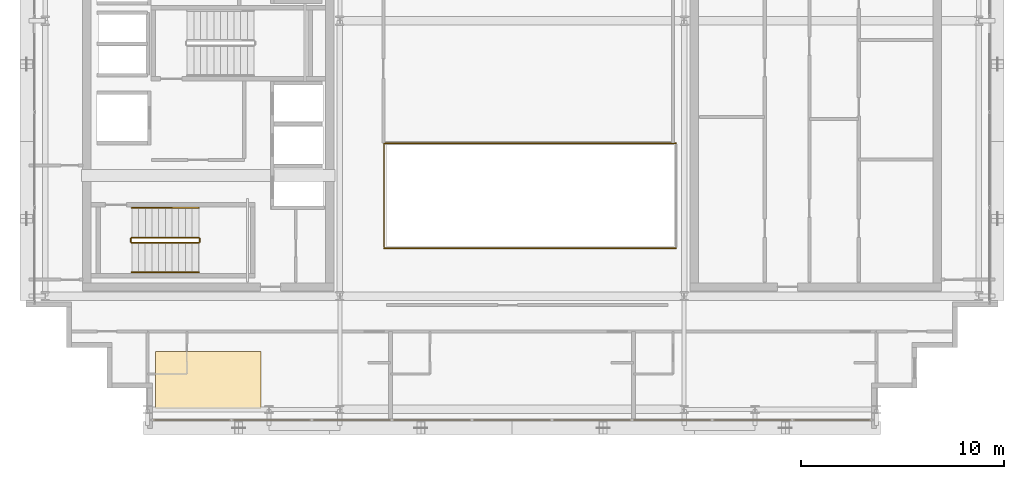
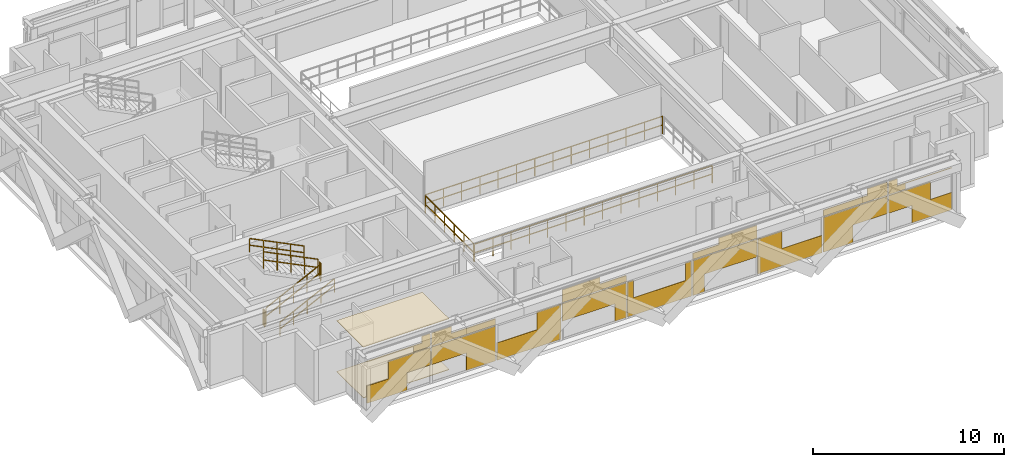
# One storey, part 25 of 28: 9 railings, 3 coverings.
"""IFC4 building model written with IfcOpenShell, lengths in metres."""

from ifc_helpers import new_model, si_unit, direction, frame, origin, origin_2d, place, context, subcontext, project, spatial, polyline, rectangle, outline, extrude, material, layer, layer_set, type_object, element, save


model = new_model("IFC4")

# Units and contexts
model_context = context("Model", 3, precision=1e-05, world=origin(), true_north=direction((0.0, 1.0)))
body_context = subcontext(model_context, "Body", "Model", "MODEL_VIEW")
ifc_project = project(units=[si_unit("LENGTHUNIT", "METRE"), si_unit("AREAUNIT", "SQUARE_METRE"), si_unit("VOLUMEUNIT", "CUBIC_METRE"), si_unit("PLANEANGLEUNIT", "RADIAN"), si_unit("MASSUNIT", "GRAM", prefix="KILO")], contexts=[model_context])

# Site, building, storey
site_placement = place(None, origin())
site = spatial("IfcSite", under=ifc_project, at=site_placement, CompositionType="ELEMENT")
building_placement = place(site_placement, origin())
building = spatial("IfcBuilding", under=site, at=building_placement, Name="Ocotamira Hotel", CompositionType="ELEMENT")
storey_placement = place(building_placement, frame((0.0, 0.0, 243.60009765625)))
storey = spatial("IfcBuildingStorey", under=building, at=storey_placement, Name="L61", CompositionType="ELEMENT", Elevation=243.60009765625)

# Coverings
ifc_material_1 = material(Name="Perforated acoustic gypsum ceiling board", Category="gypsum")
ifc_layer_1 = layer(ifc_material_1, 0.02490234375)
ifc_layer_set_1 = layer_set([ifc_layer_1], Name="Perforated acoustic gypsum ceiling board")
covering_type_1 = type_object("IfcCoveringType", Name="COV-CEIL-25", PredefinedType="CEILING", material=ifc_layer_set_1)
covering_1_placement = place(storey_placement, frame((0.0, 0.0, 3.2548828125)))
element("IfcCovering", 1, at=covering_1_placement, inside=storey, type_object=covering_type_1, Name="L61 Acoustic Ceiling", PredefinedType="CEILING", context=body_context, shape_type="SweptSolid", body=[
    extrude(outline(polyline([(14.39990234375, 9.0), (19.60009765625, 9.0), (19.60009765625, 11.800048828125), (14.39990234375, 11.800048828125), (14.39990234375, 9.0)])), origin(), (0.0, 0.0, 1.0), 0.02490234375),
])
ifc_material_2 = material(Name="Honed desert travertine stone flooring", Category="masonry")
ifc_layer_2 = layer(ifc_material_2, 0.030029296875)
ifc_layer_set_2 = layer_set([ifc_layer_2], Name="Honed desert travertine stone flooring")
covering_type_2 = type_object("IfcCoveringType", Name="COV-FLOR-30", PredefinedType="FLOORING", material=ifc_layer_set_2)
covering_2_placement = place(storey_placement, origin())
element("IfcCovering", 2, at=covering_2_placement, inside=storey, type_object=covering_type_2, Name="L61 Honed Stone Floor Finish", PredefinedType="FLOORING", context=body_context, shape_type="SweptSolid", body=[
    extrude(outline(polyline([(14.39990234375, 9.0), (19.60009765625, 9.0), (19.60009765625, 11.800048828125), (14.39990234375, 11.800048828125), (14.39990234375, 9.0)])), origin(), (0.0, 0.0, 1.0), 0.02978515625),
])
ifc_material_3 = material(Name="Insulated pale-metal aluminium spandrel panel", Category="aluminium")
ifc_layer_3 = layer(ifc_material_3, 0.044921875)
ifc_layer_set_3 = layer_set([ifc_layer_3], Name="Insulated pale-metal aluminium spandrel panel")
covering_type_3 = type_object("IfcCoveringType", Name="COV-INFILL-45", PredefinedType="CLADDING", material=ifc_layer_set_3)
covering_3_placement = place(storey_placement, origin())
element("IfcCovering", 3, at=covering_3_placement, inside=storey, type_object=covering_type_3, Name="L61 Curtain Wall Infill CW-5 CW-L61-S1", PredefinedType="CLADDING", context=body_context, shape_type="SweptSolid", body=[
    extrude(rectangle(XDim=2.42822265625, YDim=0.044921875, at=origin_2d()), frame((15.49462890625, 8.419921875, 0.075439453125), z_axis=(0.0, 0.0, 1.0), x_axis=(1.0, 0.0, 0.0)), (0.0, 0.0, 1.0), 1.11767578125),
    extrude(rectangle(XDim=2.54541015625, YDim=0.044921875, at=origin_2d()), frame((16.84228515625, 8.419921875, 1.19384765625), z_axis=(0.0, 0.0, 1.0), x_axis=(1.0, 0.0, 0.0)), (0.0, 0.0, 1.0), 1.117919921875),
    extrude(rectangle(XDim=3.834716796875, YDim=0.044921875, at=origin_2d()), frame((16.19775390625, 8.419921875, 2.744140625), z_axis=(0.0, 0.0, 1.0), x_axis=(1.0, 0.0, 0.0)), (0.0, 0.0, 1.0), 0.0244140625),
    extrude(rectangle(XDim=1.0107421875, YDim=0.044921875, at=origin_2d()), frame((17.609619140625, 8.419921875, 2.3876953125), z_axis=(0.0, 0.0, 1.0), x_axis=(1.0, 0.0, 0.0)), (0.0, 0.0, 1.0), 0.355224609375),
    extrude(rectangle(XDim=0.52001953125, YDim=0.044921875, at=origin_2d()), frame((17.85498046875, 8.419921875, 2.76953125), z_axis=(0.0, 0.0, 1.0), x_axis=(1.0, 0.0, 0.0)), (0.0, 0.0, 1.0), 0.434814453125),
    extrude(rectangle(XDim=3.87451171875, YDim=0.044921875, at=origin_2d()), frame((20.13330078125, 8.419921875, 1.19384765625), z_axis=(0.0, 0.0, 1.0), x_axis=(1.0, 0.0, 0.0)), (0.0, 0.0, 1.0), 1.117919921875),
    extrude(rectangle(XDim=1.779296875, YDim=0.044921875, at=origin_2d()), frame((21.180908203125, 8.419921875, 0.075439453125), z_axis=(0.0, 0.0, 1.0), x_axis=(1.0, 0.0, 0.0)), (0.0, 0.0, 1.0), 1.11767578125),
    extrude(rectangle(XDim=3.87451171875, YDim=0.044921875, at=origin_2d()), frame((20.13330078125, 8.419921875, 2.3876953125), z_axis=(0.0, 0.0, 1.0), x_axis=(1.0, 0.0, 0.0)), (0.0, 0.0, 1.0), 0.380615234375),
    extrude(rectangle(XDim=1.208984375, YDim=0.044921875, at=origin_2d()), frame((18.800537109375, 8.419921875, 2.76953125), z_axis=(0.0, 0.0, 1.0), x_axis=(1.0, 0.0, 0.0)), (0.0, 0.0, 1.0), 0.434814453125),
    extrude(rectangle(XDim=3.87451171875, YDim=0.044921875, at=origin_2d()), frame((24.0888671875, 8.419921875, 0.075439453125), z_axis=(0.0, 0.0, 1.0), x_axis=(1.0, 0.0, 0.0)), (0.0, 0.0, 1.0), 1.11767578125),
    extrude(rectangle(XDim=1.45654296875, YDim=0.044921875, at=origin_2d()), frame((25.2978515625, 8.419921875, 1.19384765625), z_axis=(0.0, 0.0, 1.0), x_axis=(1.0, 0.0, 0.0)), (0.0, 0.0, 1.0), 1.117919921875),
    extrude(rectangle(XDim=3.87451171875, YDim=0.044921875, at=origin_2d()), frame((28.04443359375, 8.419921875, 1.19384765625), z_axis=(0.0, 0.0, 1.0), x_axis=(1.0, 0.0, 0.0)), (0.0, 0.0, 1.0), 1.117919921875),
    extrude(rectangle(XDim=0.6904296875, YDim=0.044921875, at=origin_2d()), frame((29.636474609375, 8.419921875, 0.075439453125), z_axis=(0.0, 0.0, 1.0), x_axis=(1.0, 0.0, 0.0)), (0.0, 0.0, 1.0), 1.11767578125),
    extrude(rectangle(XDim=3.87451171875, YDim=0.044921875, at=origin_2d()), frame((28.04443359375, 8.419921875, 2.3876953125), z_axis=(0.0, 0.0, 1.0), x_axis=(1.0, 0.0, 0.0)), (0.0, 0.0, 1.0), 0.380615234375),
    extrude(rectangle(XDim=2.2978515625, YDim=0.044921875, at=origin_2d()), frame((27.256103515625, 8.419921875, 2.76953125), z_axis=(0.0, 0.0, 1.0), x_axis=(1.0, 0.0, 0.0)), (0.0, 0.0, 1.0), 0.434814453125),
    extrude(rectangle(XDim=3.87451171875, YDim=0.044921875, at=origin_2d()), frame((32.0, 8.419921875, 0.075439453125), z_axis=(0.0, 0.0, 1.0), x_axis=(1.0, 0.0, 0.0)), (0.0, 0.0, 1.0), 1.11767578125),
    extrude(rectangle(XDim=0.367919921875, YDim=0.044921875, at=origin_2d()), frame((30.24658203125, 8.419921875, 1.19384765625), z_axis=(0.0, 0.0, 1.0), x_axis=(1.0, 0.0, 0.0)), (0.0, 0.0, 1.0), 1.117919921875),
    extrude(rectangle(XDim=0.367919921875, YDim=0.044921875, at=origin_2d()), frame((33.75341796875, 8.419921875, 1.19384765625), z_axis=(0.0, 0.0, 1.0), x_axis=(1.0, 0.0, 0.0)), (0.0, 0.0, 1.0), 1.117919921875),
    extrude(rectangle(XDim=0.6904296875, YDim=0.044921875, at=origin_2d()), frame((34.363525390625, 8.419921875, 0.075439453125), z_axis=(0.0, 0.0, 1.0), x_axis=(1.0, 0.0, 0.0)), (0.0, 0.0, 1.0), 1.11767578125),
    extrude(rectangle(XDim=3.87451171875, YDim=0.044921875, at=origin_2d()), frame((35.95556640625, 8.419921875, 1.19384765625), z_axis=(0.0, 0.0, 1.0), x_axis=(1.0, 0.0, 0.0)), (0.0, 0.0, 1.0), 1.117919921875),
    extrude(rectangle(XDim=3.87451171875, YDim=0.044921875, at=origin_2d()), frame((35.95556640625, 8.419921875, 2.3876953125), z_axis=(0.0, 0.0, 1.0), x_axis=(1.0, 0.0, 0.0)), (0.0, 0.0, 1.0), 0.380615234375),
    extrude(rectangle(XDim=2.2978515625, YDim=0.044921875, at=origin_2d()), frame((36.743896484375, 8.419921875, 2.76953125), z_axis=(0.0, 0.0, 1.0), x_axis=(1.0, 0.0, 0.0)), (0.0, 0.0, 1.0), 0.434814453125),
    extrude(rectangle(XDim=3.87451171875, YDim=0.044921875, at=origin_2d()), frame((39.9111328125, 8.419921875, 0.075439453125), z_axis=(0.0, 0.0, 1.0), x_axis=(1.0, 0.0, 0.0)), (0.0, 0.0, 1.0), 1.11767578125),
    extrude(rectangle(XDim=1.45654296875, YDim=0.044921875, at=origin_2d()), frame((38.7021484375, 8.419921875, 1.19384765625), z_axis=(0.0, 0.0, 1.0), x_axis=(1.0, 0.0, 0.0)), (0.0, 0.0, 1.0), 1.117919921875),
    extrude(rectangle(XDim=1.779296875, YDim=0.044921875, at=origin_2d()), frame((42.819091796875, 8.419921875, 0.075439453125), z_axis=(0.0, 0.0, 1.0), x_axis=(1.0, 0.0, 0.0)), (0.0, 0.0, 1.0), 1.11767578125),
    extrude(rectangle(XDim=3.87451171875, YDim=0.044921875, at=origin_2d()), frame((43.86669921875, 8.419921875, 1.19384765625), z_axis=(0.0, 0.0, 1.0), x_axis=(1.0, 0.0, 0.0)), (0.0, 0.0, 1.0), 1.117919921875),
    extrude(rectangle(XDim=3.87451171875, YDim=0.044921875, at=origin_2d()), frame((43.86669921875, 8.419921875, 2.3876953125), z_axis=(0.0, 0.0, 1.0), x_axis=(1.0, 0.0, 0.0)), (0.0, 0.0, 1.0), 0.380615234375),
    extrude(rectangle(XDim=1.208984375, YDim=0.044921875, at=origin_2d()), frame((45.199462890625, 8.419921875, 2.76953125), z_axis=(0.0, 0.0, 1.0), x_axis=(1.0, 0.0, 0.0)), (0.0, 0.0, 1.0), 0.434814453125),
    extrude(rectangle(XDim=2.54541015625, YDim=0.044921875, at=origin_2d()), frame((47.15771484375, 8.419921875, 1.19384765625), z_axis=(0.0, 0.0, 1.0), x_axis=(1.0, 0.0, 0.0)), (0.0, 0.0, 1.0), 1.117919921875),
    extrude(rectangle(XDim=2.42822265625, YDim=0.044921875, at=origin_2d()), frame((48.50537109375, 8.419921875, 0.075439453125), z_axis=(0.0, 0.0, 1.0), x_axis=(1.0, 0.0, 0.0)), (0.0, 0.0, 1.0), 1.11767578125),
    extrude(rectangle(XDim=1.0107421875, YDim=0.044921875, at=origin_2d()), frame((46.390380859375, 8.419921875, 2.3876953125), z_axis=(0.0, 0.0, 1.0), x_axis=(1.0, 0.0, 0.0)), (0.0, 0.0, 1.0), 0.355224609375),
    extrude(rectangle(XDim=3.834716796875, YDim=0.044921875, at=origin_2d()), frame((47.80224609375, 8.419921875, 2.744140625), z_axis=(0.0, 0.0, 1.0), x_axis=(1.0, 0.0, 0.0)), (0.0, 0.0, 1.0), 0.0244140625),
    extrude(rectangle(XDim=0.52001953125, YDim=0.044921875, at=origin_2d()), frame((46.14501953125, 8.419921875, 2.76953125), z_axis=(0.0, 0.0, 1.0), x_axis=(1.0, 0.0, 0.0)), (0.0, 0.0, 1.0), 0.434814453125),
])

# Railings
ifc_material_4 = material(Name="Painted steel stair guardrail", Category="steel")
railing_type_1 = type_object("IfcRailingType", Name="RL-EDGE-1150", PredefinedType="GUARDRAIL", material=ifc_material_4)
railing_1_placement = place(storey_placement, frame((25.699951171875, 16.89990234375, 0.0)))
element("IfcRailing", 4, at=railing_1_placement, inside=storey, type_object=railing_type_1, Name="L61 Atrium Bridge Lightwell Guard S S", PredefinedType="GUARDRAIL", context=body_context, shape_type="SweptSolid", body=[
    extrude(rectangle(XDim=0.048095703125, YDim=0.048095703125, at=origin_2d()), frame((0.0, 0.0, 1.1259765625), z_axis=(1.0, 0.0, 0.0), x_axis=(0.0, 1.0, 0.0)), (0.0, 0.0, 1.0), 14.400146484375),
    extrude(rectangle(XDim=0.048095703125, YDim=0.048095703125, at=origin_2d()), frame((0.0, 0.0, 0.574951171875), z_axis=(1.0, 0.0, 0.0), x_axis=(0.0, 1.0, 0.0)), (0.0, 0.0, 1.0), 14.400146484375),
    extrude(rectangle(XDim=0.0419921875, YDim=0.0419921875, at=origin_2d()), origin(), (0.0, 0.0, 1.0), 1.101806640625),
    extrude(rectangle(XDim=0.0419921875, YDim=0.0419921875, at=origin_2d()), frame((1.107666015625, 0.0, 0.0)), (0.0, 0.0, 1.0), 1.101806640625),
    extrude(rectangle(XDim=0.0419921875, YDim=0.0419921875, at=origin_2d()), frame((2.21533203125, 0.0, 0.0)), (0.0, 0.0, 1.0), 1.101806640625),
    extrude(rectangle(XDim=0.0419921875, YDim=0.0419921875, at=origin_2d()), frame((3.322998046875, 0.0, 0.0)), (0.0, 0.0, 1.0), 1.101806640625),
    extrude(rectangle(XDim=0.0419921875, YDim=0.0419921875, at=origin_2d()), frame((4.430908203125, 0.0, 0.0)), (0.0, 0.0, 1.0), 1.101806640625),
    extrude(rectangle(XDim=0.0419921875, YDim=0.0419921875, at=origin_2d()), frame((5.53857421875, 0.0, 0.0)), (0.0, 0.0, 1.0), 1.101806640625),
    extrude(rectangle(XDim=0.0419921875, YDim=0.0419921875, at=origin_2d()), frame((6.646240234375, 0.0, 0.0)), (0.0, 0.0, 1.0), 1.101806640625),
    extrude(rectangle(XDim=0.0419921875, YDim=0.0419921875, at=origin_2d()), frame((7.75390625, 0.0, 0.0)), (0.0, 0.0, 1.0), 1.101806640625),
    extrude(rectangle(XDim=0.0419921875, YDim=0.0419921875, at=origin_2d()), frame((8.861572265625, 0.0, 0.0)), (0.0, 0.0, 1.0), 1.101806640625),
    extrude(rectangle(XDim=0.0419921875, YDim=0.0419921875, at=origin_2d()), frame((9.96923828125, 0.0, 0.0)), (0.0, 0.0, 1.0), 1.101806640625),
    extrude(rectangle(XDim=0.0419921875, YDim=0.0419921875, at=origin_2d()), frame((11.0771484375, 0.0, 0.0)), (0.0, 0.0, 1.0), 1.101806640625),
    extrude(rectangle(XDim=0.0419921875, YDim=0.0419921875, at=origin_2d()), frame((12.184814453125, 0.0, 0.0)), (0.0, 0.0, 1.0), 1.101806640625),
    extrude(rectangle(XDim=0.0419921875, YDim=0.0419921875, at=origin_2d()), frame((13.29248046875, 0.0, 0.0)), (0.0, 0.0, 1.0), 1.101806640625),
    extrude(rectangle(XDim=0.0419921875, YDim=0.0419921875, at=origin_2d()), frame((14.400146484375, 0.0, 0.0)), (0.0, 0.0, 1.0), 1.101806640625),
])
railing_2_placement = place(storey_placement, frame((40.10009765625, 22.10009765625, 0.0)))
element("IfcRailing", 5, at=railing_2_placement, inside=storey, type_object=railing_type_1, Name="L61 Atrium Bridge Lightwell Guard S N", PredefinedType="GUARDRAIL", context=body_context, shape_type="SweptSolid", body=[
    extrude(rectangle(XDim=0.048095703125, YDim=0.048095703125, at=origin_2d()), frame((0.0, 0.0, 1.1259765625), z_axis=(-1.0, 0.0, 0.0), x_axis=(0.0, -1.0, 0.0)), (0.0, 0.0, 1.0), 14.400146484375),
    extrude(rectangle(XDim=0.048095703125, YDim=0.048095703125, at=origin_2d()), frame((0.0, 0.0, 0.574951171875), z_axis=(-1.0, 0.0, 0.0), x_axis=(0.0, -1.0, 0.0)), (0.0, 0.0, 1.0), 14.400146484375),
    extrude(rectangle(XDim=0.0419921875, YDim=0.0419921875, at=origin_2d()), origin(), (0.0, 0.0, 1.0), 1.101806640625),
    extrude(rectangle(XDim=0.0419921875, YDim=0.0419921875, at=origin_2d()), frame((-1.107666015625, 0.0, 0.0)), (0.0, 0.0, 1.0), 1.101806640625),
    extrude(rectangle(XDim=0.0419921875, YDim=0.0419921875, at=origin_2d()), frame((-2.21533203125, 0.0, 0.0)), (0.0, 0.0, 1.0), 1.101806640625),
    extrude(rectangle(XDim=0.0419921875, YDim=0.0419921875, at=origin_2d()), frame((-3.322998046875, 0.0, 0.0)), (0.0, 0.0, 1.0), 1.101806640625),
    extrude(rectangle(XDim=0.0419921875, YDim=0.0419921875, at=origin_2d()), frame((-4.430908203125, 0.0, 0.0)), (0.0, 0.0, 1.0), 1.101806640625),
    extrude(rectangle(XDim=0.0419921875, YDim=0.0419921875, at=origin_2d()), frame((-5.53857421875, 0.0, 0.0)), (0.0, 0.0, 1.0), 1.101806640625),
    extrude(rectangle(XDim=0.0419921875, YDim=0.0419921875, at=origin_2d()), frame((-6.646240234375, 0.0, 0.0)), (0.0, 0.0, 1.0), 1.101806640625),
    extrude(rectangle(XDim=0.0419921875, YDim=0.0419921875, at=origin_2d()), frame((-7.75390625, 0.0, 0.0)), (0.0, 0.0, 1.0), 1.101806640625),
    extrude(rectangle(XDim=0.0419921875, YDim=0.0419921875, at=origin_2d()), frame((-8.861572265625, 0.0, 0.0)), (0.0, 0.0, 1.0), 1.101806640625),
    extrude(rectangle(XDim=0.0419921875, YDim=0.0419921875, at=origin_2d()), frame((-9.96923828125, 0.0, 0.0)), (0.0, 0.0, 1.0), 1.101806640625),
    extrude(rectangle(XDim=0.0419921875, YDim=0.0419921875, at=origin_2d()), frame((-11.0771484375, 0.0, 0.0)), (0.0, 0.0, 1.0), 1.101806640625),
    extrude(rectangle(XDim=0.0419921875, YDim=0.0419921875, at=origin_2d()), frame((-12.184814453125, 0.0, 0.0)), (0.0, 0.0, 1.0), 1.101806640625),
    extrude(rectangle(XDim=0.0419921875, YDim=0.0419921875, at=origin_2d()), frame((-13.29248046875, 0.0, 0.0)), (0.0, 0.0, 1.0), 1.101806640625),
    extrude(rectangle(XDim=0.0419921875, YDim=0.0419921875, at=origin_2d()), frame((-14.400146484375, 0.0, 0.0)), (0.0, 0.0, 1.0), 1.101806640625),
])
railing_3_placement = place(storey_placement, frame((25.679931640625, 22.02001953125, 0.0)))
element("IfcRailing", 6, at=railing_3_placement, inside=storey, type_object=railing_type_1, Name="L61 Atrium Bridge Lightwell Guard S W", PredefinedType="GUARDRAIL", context=body_context, shape_type="SweptSolid", body=[
    extrude(rectangle(XDim=0.048095703125, YDim=0.048095703125, at=origin_2d()), frame((0.0, 0.0, 1.1259765625), z_axis=(0.0, -1.0, 0.0), x_axis=(1.0, 0.0, 0.0)), (0.0, 0.0, 1.0), 5.0400390625),
    extrude(rectangle(XDim=0.048095703125, YDim=0.048095703125, at=origin_2d()), frame((0.0, 0.0, 0.574951171875), z_axis=(0.0, -1.0, 0.0), x_axis=(1.0, 0.0, 0.0)), (0.0, 0.0, 1.0), 5.0400390625),
    extrude(rectangle(XDim=0.0419921875, YDim=0.0419921875, at=origin_2d()), origin(), (0.0, 0.0, 1.0), 1.101806640625),
    extrude(rectangle(XDim=0.0419921875, YDim=0.0419921875, at=origin_2d()), frame((0.0, -1.008056640625, 0.0)), (0.0, 0.0, 1.0), 1.101806640625),
    extrude(rectangle(XDim=0.0419921875, YDim=0.0419921875, at=origin_2d()), frame((0.0, -2.01611328125, 0.0)), (0.0, 0.0, 1.0), 1.101806640625),
    extrude(rectangle(XDim=0.0419921875, YDim=0.0419921875, at=origin_2d()), frame((0.0, -3.02392578125, 0.0)), (0.0, 0.0, 1.0), 1.101806640625),
    extrude(rectangle(XDim=0.0419921875, YDim=0.0419921875, at=origin_2d()), frame((0.0, -4.031982421875, 0.0)), (0.0, 0.0, 1.0), 1.101806640625),
    extrude(rectangle(XDim=0.0419921875, YDim=0.0419921875, at=origin_2d()), frame((0.0, -5.0400390625, 0.0)), (0.0, 0.0, 1.0), 1.101806640625),
])
ifc_material_5 = material(Name="Brushed stainless steel handrail", Category="steel")
railing_type_2 = type_object("IfcRailingType", Name="RL-HAND-900", PredefinedType="HANDRAIL", material=ifc_material_5)
railing_4_placement = place(storey_placement, frame((13.22998046875, 15.719970703125, 0.3271484375)))
element("IfcRailing", 7, at=railing_4_placement, inside=storey, type_object=railing_type_2, Name="L61 ST-1 stair handrail 1", PredefinedType="HANDRAIL", context=body_context, shape_type="SweptSolid", body=[
    extrude(rectangle(XDim=0.048095703125, YDim=0.048095703125, at=origin_2d()), frame((0.0, 0.0, 0.8759765625), z_axis=(0.895893744519, 0.0, 0.4442683857), x_axis=(0.0, 1.0, 0.0)), (0.0, 0.0, 1.0), 3.68359375),
    extrude(rectangle(XDim=0.048095703125, YDim=0.048095703125, at=origin_2d()), frame((0.0, 0.0, 0.449951171875), z_axis=(0.895893744519, 0.0, 0.4442683857), x_axis=(0.0, 1.0, 0.0)), (0.0, 0.0, 1.0), 3.68359375),
    extrude(rectangle(XDim=0.0419921875, YDim=0.0419921875, at=origin_2d()), origin(), (0.0, 0.0, 1.0), 0.851806640625),
    extrude(rectangle(XDim=0.0419921875, YDim=0.0419921875, at=origin_2d()), frame((0.824951171875, 0.0, 0.4091796875)), (0.0, 0.0, 1.0), 0.851806640625),
    extrude(rectangle(XDim=0.0419921875, YDim=0.0419921875, at=origin_2d()), frame((1.64990234375, 0.0, 0.818359375)), (0.0, 0.0, 1.0), 0.851806640625),
    extrude(rectangle(XDim=0.0419921875, YDim=0.0419921875, at=origin_2d()), frame((2.47509765625, 0.0, 1.227294921875)), (0.0, 0.0, 1.0), 0.851806640625),
    extrude(rectangle(XDim=0.0419921875, YDim=0.0419921875, at=origin_2d()), frame((3.300048828125, 0.0, 1.636474609375)), (0.0, 0.0, 1.0), 0.851806640625),
])
railing_5_placement = place(storey_placement, frame((16.530029296875, 18.89990234375, 2.127197265625)))
element("IfcRailing", 8, at=railing_5_placement, inside=storey, type_object=railing_type_2, Name="L61 ST-1 stair handrail 2", PredefinedType="HANDRAIL", context=body_context, shape_type="SweptSolid", body=[
    extrude(rectangle(XDim=0.048095703125, YDim=0.048095703125, at=origin_2d()), frame((0.0, 0.0, 0.8759765625), z_axis=(-0.895920123917, 0.0, 0.444215186098), x_axis=(0.0, -1.0, 0.0)), (0.0, 0.0, 1.0), 3.683349609375),
    extrude(rectangle(XDim=0.048095703125, YDim=0.048095703125, at=origin_2d()), frame((0.0, 0.0, 0.449951171875), z_axis=(-0.895920123917, 0.0, 0.444215186098), x_axis=(0.0, -1.0, 0.0)), (0.0, 0.0, 1.0), 3.683349609375),
    extrude(rectangle(XDim=0.0419921875, YDim=0.0419921875, at=origin_2d()), origin(), (0.0, 0.0, 1.0), 0.851806640625),
    extrude(rectangle(XDim=0.0419921875, YDim=0.0419921875, at=origin_2d()), frame((-0.824951171875, 0.0, 0.4091796875)), (0.0, 0.0, 1.0), 0.851806640625),
    extrude(rectangle(XDim=0.0419921875, YDim=0.0419921875, at=origin_2d()), frame((-1.64990234375, 0.0, 0.818115234375)), (0.0, 0.0, 1.0), 0.851806640625),
    extrude(rectangle(XDim=0.0419921875, YDim=0.0419921875, at=origin_2d()), frame((-2.47509765625, 0.0, 1.22705078125)), (0.0, 0.0, 1.0), 0.851806640625),
    extrude(rectangle(XDim=0.0419921875, YDim=0.0419921875, at=origin_2d()), frame((-3.300048828125, 0.0, 1.63623046875)), (0.0, 0.0, 1.0), 0.851806640625),
])
railing_type_3 = type_object("IfcRailingType", Name="RL-STAIR-1100", PredefinedType="GUARDRAIL", material=ifc_material_4)
railing_6_placement = place(storey_placement, frame((13.22998046875, 17.179931640625, 0.16357421875)))
element("IfcRailing", 9, at=railing_6_placement, inside=storey, type_object=railing_type_3, Name="L61 ST-1 stair guard 1", PredefinedType="GUARDRAIL", context=body_context, shape_type="SweptSolid", body=[
    extrude(rectangle(XDim=0.048095703125, YDim=0.048095703125, at=origin_2d()), frame((0.0, 0.0, 1.076171875), z_axis=(0.895920123917, 0.0, 0.444215186098), x_axis=(0.0, 1.0, 0.0)), (0.0, 0.0, 1.0), 3.683349609375),
    extrude(rectangle(XDim=0.048095703125, YDim=0.048095703125, at=origin_2d()), frame((0.0, 0.0, 0.550048828125), z_axis=(0.895920123917, 0.0, 0.444215186098), x_axis=(0.0, 1.0, 0.0)), (0.0, 0.0, 1.0), 3.683349609375),
    extrude(rectangle(XDim=0.0419921875, YDim=0.0419921875, at=origin_2d()), origin(), (0.0, 0.0, 1.0), 1.052001953125),
    extrude(rectangle(XDim=0.0419921875, YDim=0.0419921875, at=origin_2d()), frame((0.824951171875, 0.0, 0.4091796875)), (0.0, 0.0, 1.0), 1.052001953125),
    extrude(rectangle(XDim=0.0419921875, YDim=0.0419921875, at=origin_2d()), frame((1.64990234375, 0.0, 0.818115234375)), (0.0, 0.0, 1.0), 1.052001953125),
    extrude(rectangle(XDim=0.0419921875, YDim=0.0419921875, at=origin_2d()), frame((2.47509765625, 0.0, 1.22705078125)), (0.0, 0.0, 1.0), 1.052001953125),
    extrude(rectangle(XDim=0.0419921875, YDim=0.0419921875, at=origin_2d()), frame((3.300048828125, 0.0, 1.63623046875)), (0.0, 0.0, 1.0), 1.052001953125),
])
railing_7_placement = place(storey_placement, frame((16.580078125, 17.22998046875, 1.7998046875)))
element("IfcRailing", 10, at=railing_7_placement, inside=storey, type_object=railing_type_3, Name="L61 ST-1 stair guard 2", PredefinedType="GUARDRAIL", context=body_context, shape_type="SweptSolid", body=[
    extrude(rectangle(XDim=0.048095703125, YDim=0.048095703125, at=origin_2d()), frame((0.0, 0.0, 1.076171875), z_axis=(0.0, 1.0, 0.0), x_axis=(-1.0, 0.0, 0.0)), (0.0, 0.0, 1.0), 0.159912109375),
    extrude(rectangle(XDim=0.048095703125, YDim=0.048095703125, at=origin_2d()), frame((0.0, 0.0, 0.550048828125), z_axis=(0.0, 1.0, 0.0), x_axis=(-1.0, 0.0, 0.0)), (0.0, 0.0, 1.0), 0.159912109375),
    extrude(rectangle(XDim=0.0419921875, YDim=0.0419921875, at=origin_2d()), origin(), (0.0, 0.0, 1.0), 1.052001953125),
    extrude(rectangle(XDim=0.0419921875, YDim=0.0419921875, at=origin_2d()), frame((0.0, 0.159912109375, 0.0)), (0.0, 0.0, 1.0), 1.052001953125),
])
railing_8_placement = place(storey_placement, frame((16.530029296875, 17.43994140625, 1.963623046875)))
element("IfcRailing", 11, at=railing_8_placement, inside=storey, type_object=railing_type_3, Name="L61 ST-1 stair guard 3", PredefinedType="GUARDRAIL", context=body_context, shape_type="SweptSolid", body=[
    extrude(rectangle(XDim=0.048095703125, YDim=0.048095703125, at=origin_2d()), frame((0.0, 0.0, 1.076171875), z_axis=(-0.895920123917, 0.0, 0.444215186098), x_axis=(0.0, -1.0, 0.0)), (0.0, 0.0, 1.0), 3.683349609375),
    extrude(rectangle(XDim=0.048095703125, YDim=0.048095703125, at=origin_2d()), frame((0.0, 0.0, 0.550048828125), z_axis=(-0.895920123917, 0.0, 0.444215186098), x_axis=(0.0, -1.0, 0.0)), (0.0, 0.0, 1.0), 3.683349609375),
    extrude(rectangle(XDim=0.0419921875, YDim=0.0419921875, at=origin_2d()), origin(), (0.0, 0.0, 1.0), 1.052001953125),
    extrude(rectangle(XDim=0.0419921875, YDim=0.0419921875, at=origin_2d()), frame((-0.824951171875, 0.0, 0.4091796875)), (0.0, 0.0, 1.0), 1.052001953125),
    extrude(rectangle(XDim=0.0419921875, YDim=0.0419921875, at=origin_2d()), frame((-1.64990234375, 0.0, 0.818115234375)), (0.0, 0.0, 1.0), 1.052001953125),
    extrude(rectangle(XDim=0.0419921875, YDim=0.0419921875, at=origin_2d()), frame((-2.47509765625, 0.0, 1.22705078125)), (0.0, 0.0, 1.0), 1.052001953125),
    extrude(rectangle(XDim=0.0419921875, YDim=0.0419921875, at=origin_2d()), frame((-3.300048828125, 0.0, 1.63623046875)), (0.0, 0.0, 1.0), 1.052001953125),
])
railing_9_placement = place(storey_placement, frame((13.179931640625, 17.22998046875, 0.0)))
element("IfcRailing", 12, at=railing_9_placement, inside=storey, type_object=railing_type_3, Name="L61 ST-1 stair guard 4", PredefinedType="GUARDRAIL", context=body_context, shape_type="SweptSolid", body=[
    extrude(rectangle(XDim=0.048095703125, YDim=0.048095703125, at=origin_2d()), frame((0.0, 0.0, 1.076171875), z_axis=(0.0, 1.0, 0.0), x_axis=(-1.0, 0.0, 0.0)), (0.0, 0.0, 1.0), 0.159912109375),
    extrude(rectangle(XDim=0.048095703125, YDim=0.048095703125, at=origin_2d()), frame((0.0, 0.0, 0.550048828125), z_axis=(0.0, 1.0, 0.0), x_axis=(-1.0, 0.0, 0.0)), (0.0, 0.0, 1.0), 0.159912109375),
    extrude(rectangle(XDim=0.0419921875, YDim=0.0419921875, at=origin_2d()), origin(), (0.0, 0.0, 1.0), 1.052001953125),
    extrude(rectangle(XDim=0.0419921875, YDim=0.0419921875, at=origin_2d()), frame((0.0, 0.159912109375, 0.0)), (0.0, 0.0, 1.0), 1.052001953125),
])

save(model, "model.ifc")
